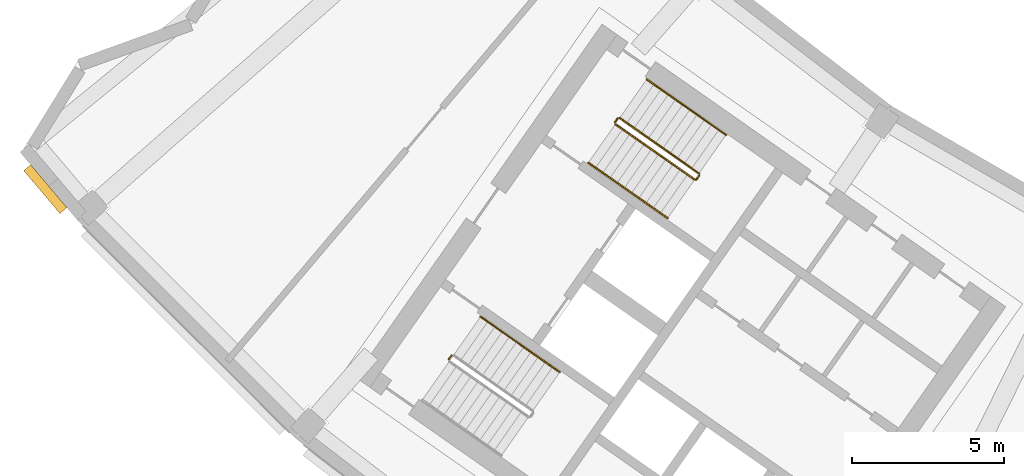
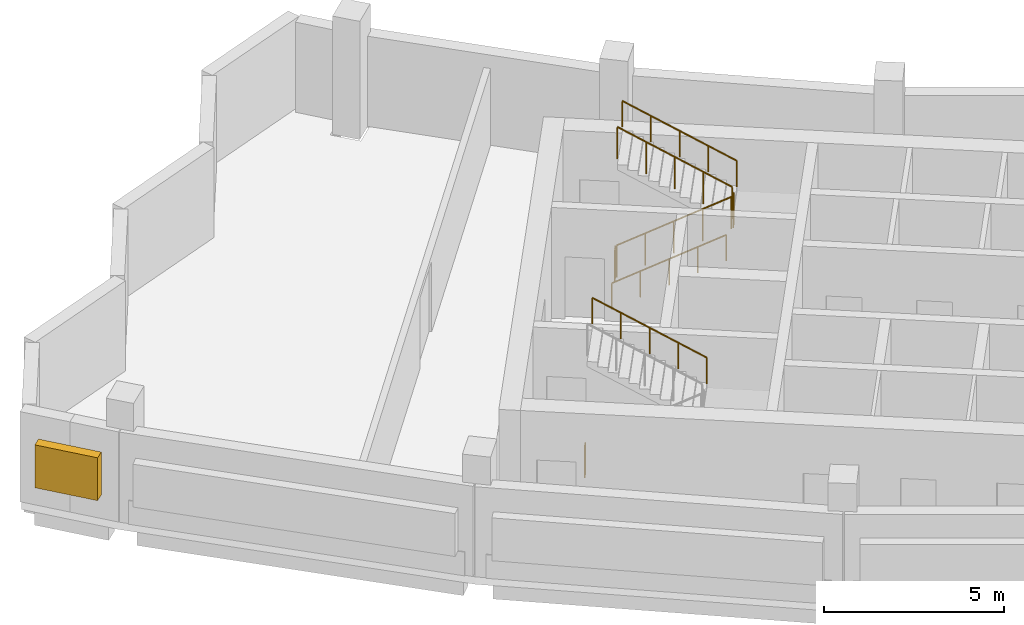
# One storey, part 10 of 12: 7 railings, 1 shading device.
"""IFC4 building model written with IfcOpenShell, lengths in metres."""

from ifc_helpers import new_model, si_unit, direction, frame, origin, origin_2d, place, context, subcontext, project, spatial, rectangle, circle, extrude, material, type_object, element, save


model = new_model("IFC4")

# Units and contexts
model_context = context("Model", 3, precision=1e-05, world=origin(), true_north=direction((0.0, 1.0)))
body_context = subcontext(model_context, "Body", "Model", "MODEL_VIEW")
ifc_project = project(units=[si_unit("LENGTHUNIT", "METRE"), si_unit("AREAUNIT", "SQUARE_METRE"), si_unit("VOLUMEUNIT", "CUBIC_METRE"), si_unit("PLANEANGLEUNIT", "RADIAN"), si_unit("MASSUNIT", "GRAM", prefix="KILO")], contexts=[model_context])

# Site, building, storey
site_placement = place(None, origin())
site = spatial("IfcSite", under=ifc_project, at=site_placement, CompositionType="ELEMENT")
building_placement = place(site_placement, origin())
building = spatial("IfcBuilding", under=site, at=building_placement, Name="Qamariyya Broadcast Tower", CompositionType="ELEMENT")
storey_placement = place(building_placement, frame((0.0, 0.0, 290.699951171875)))
storey = spatial("IfcBuildingStorey", under=building, at=storey_placement, Name="L70", CompositionType="ELEMENT", Elevation=290.699951171875)

# Railings
ifc_material_1 = material(Name="Painted steel", Category="steel")
railing_type_1 = type_object("IfcRailingType", Name="Stair guard", PredefinedType="GUARDRAIL", material=ifc_material_1)
railing_1_placement = place(storey_placement, frame((-41.146728515625, -48.52490234375, 0.166748046875)))
element("IfcRailing", 1, at=railing_1_placement, inside=storey, type_object=railing_type_1, Name="L70 ST-W2 stair guard 1", PredefinedType="GUARDRAIL", context=body_context, shape_type="SweptSolid", body=[
    extrude(circle(Radius=0.02392578125, at=origin_2d()), frame((0.0, 0.0, 1.076171875), z_axis=(0.710227693972, -0.497285465629, 0.498280832854), x_axis=(0.573559936391, 0.819163597438, 0.0)), (0.0, 0.0, 1.0), 3.67919921875),
    extrude(circle(Radius=0.02392578125, at=origin_2d()), frame((2.613037109375, -1.82958984375, 2.9091796875), z_axis=(0.985059694769, 0.172213233351, 0.0), x_axis=(-0.172213233351, 0.985059694769, 0.0)), (0.0, 0.0, 1.0), 0.07080078125),
    extrude(circle(Radius=0.02392578125, at=origin_2d()), frame((2.682861328125, -1.8173828125, 2.9091796875), z_axis=(0.573353020881, 0.819308436089, 0.0), x_axis=(-0.819308436089, 0.573353020881, 0.0)), (0.0, 0.0, 1.0), 0.14990234375),
    extrude(circle(Radius=0.02099609375, at=origin_2d()), origin(), (0.0, 0.0, 1.0), 1.052001953125),
    extrude(circle(Radius=0.02099609375, at=origin_2d()), frame((0.6533203125, -0.45751953125, 0.458251953125)), (0.0, 0.0, 1.0), 1.052001953125),
    extrude(circle(Radius=0.02099609375, at=origin_2d()), frame((1.306640625, -0.914794921875, 0.91650390625)), (0.0, 0.0, 1.0), 1.052001953125),
    extrude(circle(Radius=0.02099609375, at=origin_2d()), frame((1.959716796875, -1.3720703125, 1.375)), (0.0, 0.0, 1.0), 1.052001953125),
    extrude(circle(Radius=0.02099609375, at=origin_2d()), frame((2.613037109375, -1.82958984375, 1.833251953125)), (0.0, 0.0, 1.0), 1.052001953125),
    extrude(circle(Radius=0.02099609375, at=origin_2d()), frame((2.682861328125, -1.8173828125, 1.833251953125)), (0.0, 0.0, 1.0), 1.052001953125),
    extrude(circle(Radius=0.02099609375, at=origin_2d()), frame((2.768798828125, -1.694580078125, 1.833251953125)), (0.0, 0.0, 1.0), 1.052001953125),
])
railing_2_placement = place(storey_placement, frame((-38.39013671875, -50.14990234375, 2.166748046875)))
element("IfcRailing", 2, at=railing_2_placement, inside=storey, type_object=railing_type_1, Name="L70 ST-W2 stair guard 2", PredefinedType="GUARDRAIL", context=body_context, shape_type="SweptSolid", body=[
    extrude(circle(Radius=0.02392578125, at=origin_2d()), frame((0.0, 0.0, 1.076171875), z_axis=(-0.710204256923, 0.497335411159, 0.498264389913), x_axis=(-0.573611290809, -0.819127637829, 0.0)), (0.0, 0.0, 1.0), 3.67919921875),
    extrude(circle(Radius=0.02099609375, at=origin_2d()), origin(), (0.0, 0.0, 1.0), 1.052001953125),
    extrude(circle(Radius=0.02099609375, at=origin_2d()), frame((-0.6533203125, 0.45751953125, 0.458251953125)), (0.0, 0.0, 1.0), 1.052001953125),
    extrude(circle(Radius=0.02099609375, at=origin_2d()), frame((-1.306640625, 0.9150390625, 0.91650390625)), (0.0, 0.0, 1.0), 1.052001953125),
    extrude(circle(Radius=0.02099609375, at=origin_2d()), frame((-1.959716796875, 1.372314453125, 1.375)), (0.0, 0.0, 1.0), 1.052001953125),
    extrude(circle(Radius=0.02099609375, at=origin_2d()), frame((-2.613037109375, 1.829833984375, 1.833251953125)), (0.0, 0.0, 1.0), 1.052001953125),
])
railing_3_placement = place(storey_placement, frame((-41.158935546875, -48.455322265625, 0.0)))
element("IfcRailing", 3, at=railing_3_placement, inside=storey, type_object=railing_type_1, Name="L70 ST-W2 stair guard 3", PredefinedType="GUARDRAIL", context=body_context, shape_type="SweptSolid", body=[
    extrude(circle(Radius=0.02392578125, at=origin_2d()), frame((0.0, 0.0, 1.076171875), z_axis=(0.572588637393, 0.819842821722, 0.0), x_axis=(-0.819842821722, 0.572588637393, 0.0)), (0.0, 0.0, 1.0), 0.150146484375),
    extrude(circle(Radius=0.02099609375, at=origin_2d()), origin(), (0.0, 0.0, 1.0), 1.052001953125),
    extrude(circle(Radius=0.02099609375, at=origin_2d()), frame((0.0859375, 0.123046875, 0.0)), (0.0, 0.0, 1.0), 1.052001953125),
])
railing_4_placement = place(storey_placement, frame((-46.63671875, -56.278076171875, 0.0)))
element("IfcRailing", 4, at=railing_4_placement, inside=storey, type_object=railing_type_1, Name="L70 ST-W1 stair guard 3", PredefinedType="GUARDRAIL", context=body_context, shape_type="SweptSolid", body=[
    extrude(circle(Radius=0.02392578125, at=origin_2d()), frame((0.0, 0.0, 1.076171875), z_axis=(0.574444878118, 0.818543268254, 0.0), x_axis=(-0.818543268254, 0.574444878118, 0.0)), (0.0, 0.0, 1.0), 0.150146484375),
    extrude(circle(Radius=0.02099609375, at=origin_2d()), origin(), (0.0, 0.0, 1.0), 1.052001953125),
    extrude(circle(Radius=0.02099609375, at=origin_2d()), frame((0.086181640625, 0.122802734375, 0.0)), (0.0, 0.0, 1.0), 1.052001953125),
])
ifc_material_2 = material(Name="Stainless steel", Category="steel")
railing_type_2 = type_object("IfcRailingType", Name="Stair handrail", PredefinedType="HANDRAIL", material=ifc_material_2)
railing_5_placement = place(storey_placement, frame((-42.03564453125, -49.79443359375, 0.166748046875)))
element("IfcRailing", 5, at=railing_5_placement, inside=storey, type_object=railing_type_2, Name="L70 ST-W2 stair handrail 1", PredefinedType="HANDRAIL", context=body_context, shape_type="SweptSolid", body=[
    extrude(circle(Radius=0.02392578125, at=origin_2d()), frame((0.0, 0.0, 0.8759765625), z_axis=(0.710204256923, -0.497335411159, 0.498264389913), x_axis=(0.573611290809, 0.819127637829, 0.0)), (0.0, 0.0, 1.0), 3.67919921875),
    extrude(circle(Radius=0.02099609375, at=origin_2d()), origin(), (0.0, 0.0, 1.0), 0.851806640625),
    extrude(circle(Radius=0.02099609375, at=origin_2d()), frame((0.6533203125, -0.45751953125, 0.458251953125)), (0.0, 0.0, 1.0), 0.851806640625),
    extrude(circle(Radius=0.02099609375, at=origin_2d()), frame((1.306640625, -0.9150390625, 0.91650390625)), (0.0, 0.0, 1.0), 0.851806640625),
    extrude(circle(Radius=0.02099609375, at=origin_2d()), frame((1.959716796875, -1.372314453125, 1.375)), (0.0, 0.0, 1.0), 0.851806640625),
    extrude(circle(Radius=0.02099609375, at=origin_2d()), frame((2.613037109375, -1.829833984375, 1.833251953125)), (0.0, 0.0, 1.0), 0.851806640625),
])
railing_6_placement = place(storey_placement, frame((-37.501220703125, -48.880126953125, 2.166748046875)))
element("IfcRailing", 6, at=railing_6_placement, inside=storey, type_object=railing_type_2, Name="L70 ST-W2 stair handrail 2", PredefinedType="HANDRAIL", context=body_context, shape_type="SweptSolid", body=[
    extrude(circle(Radius=0.02392578125, at=origin_2d()), frame((0.0, 0.0, 0.8759765625), z_axis=(-0.710204256923, 0.497335411159, 0.498264389913), x_axis=(-0.573611290809, -0.819127637829, 0.0)), (0.0, 0.0, 1.0), 3.67919921875),
    extrude(circle(Radius=0.02099609375, at=origin_2d()), origin(), (0.0, 0.0, 1.0), 0.851806640625),
    extrude(circle(Radius=0.02099609375, at=origin_2d()), frame((-0.6533203125, 0.45751953125, 0.458251953125)), (0.0, 0.0, 1.0), 0.851806640625),
    extrude(circle(Radius=0.02099609375, at=origin_2d()), frame((-1.306640625, 0.9150390625, 0.91650390625)), (0.0, 0.0, 1.0), 0.851806640625),
    extrude(circle(Radius=0.02099609375, at=origin_2d()), frame((-1.959716796875, 1.372314453125, 1.375)), (0.0, 0.0, 1.0), 0.851806640625),
    extrude(circle(Radius=0.02099609375, at=origin_2d()), frame((-2.613037109375, 1.829833984375, 1.833251953125)), (0.0, 0.0, 1.0), 0.851806640625),
])
railing_7_placement = place(storey_placement, frame((-42.978759765625, -56.702880859375, 2.166748046875)))
element("IfcRailing", 7, at=railing_7_placement, inside=storey, type_object=railing_type_2, Name="L70 ST-W1 stair handrail 2", PredefinedType="HANDRAIL", context=body_context, shape_type="SweptSolid", body=[
    extrude(circle(Radius=0.02392578125, at=origin_2d()), frame((0.0, 0.0, 0.8759765625), z_axis=(-0.710227693972, 0.497285465629, 0.498280832854), x_axis=(-0.573559936391, -0.819163597438, 0.0)), (0.0, 0.0, 1.0), 3.67919921875),
    extrude(circle(Radius=0.02099609375, at=origin_2d()), origin(), (0.0, 0.0, 1.0), 0.851806640625),
    extrude(circle(Radius=0.02099609375, at=origin_2d()), frame((-0.6533203125, 0.45751953125, 0.458251953125)), (0.0, 0.0, 1.0), 0.851806640625),
    extrude(circle(Radius=0.02099609375, at=origin_2d()), frame((-1.306640625, 0.914794921875, 0.91650390625)), (0.0, 0.0, 1.0), 0.851806640625),
    extrude(circle(Radius=0.02099609375, at=origin_2d()), frame((-1.959716796875, 1.3720703125, 1.375)), (0.0, 0.0, 1.0), 0.851806640625),
    extrude(circle(Radius=0.02099609375, at=origin_2d()), frame((-2.613037109375, 1.82958984375, 1.833251953125)), (0.0, 0.0, 1.0), 0.851806640625),
])

# Shading device
ifc_material_3 = material(Name="Glazed terracotta", Category="masonry")
shading_device_type = type_object("IfcShadingDeviceType", Name="Terracotta louvre bank", PredefinedType="USERDEFINED", material=ifc_material_3)
shading_device_placement = place(storey_placement, frame((-59.94140625, -50.66796875, 0.80029296875), z_axis=(0.0, 0.0, 1.0), x_axis=(0.645559567332, -0.763709922042, 0.0)))
element("IfcShadingDevice", 8, at=shading_device_placement, inside=storey, type_object=shading_device_type, Name="e-lv-L70-00", ObjectType="LOUVRE", PredefinedType="USERDEFINED", context=body_context, shape_type="SweptSolid", body=[
    extrude(rectangle(XDim=1.8505859375, YDim=0.300048828125, at=origin_2d()), origin(), (0.0, 0.0, 1.0), 1.449951171875),
])

save(model, "model.ifc")
